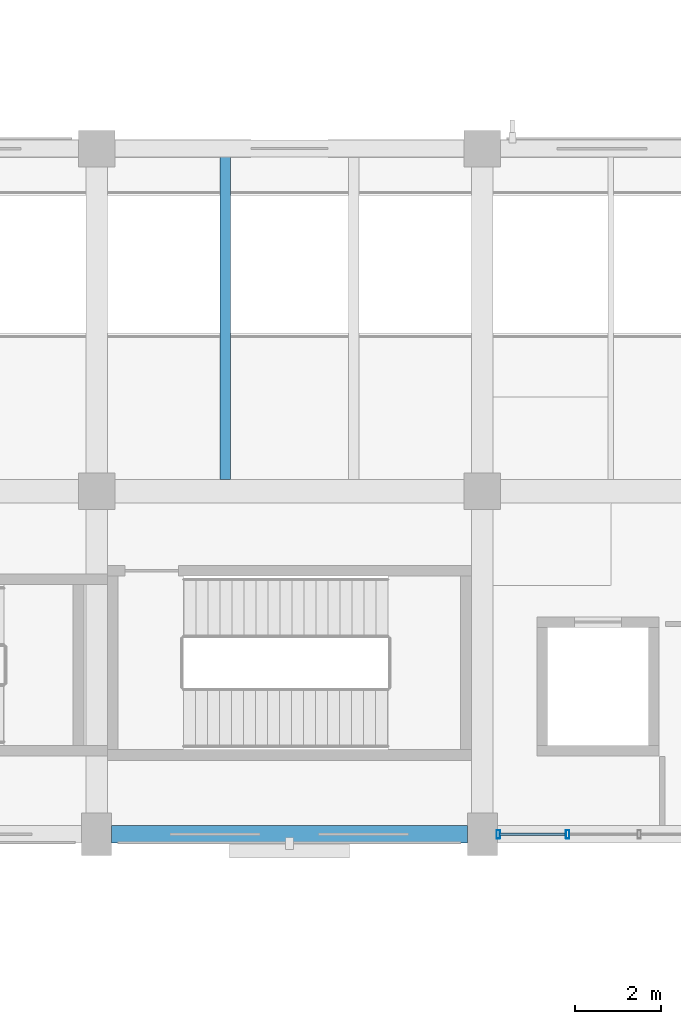
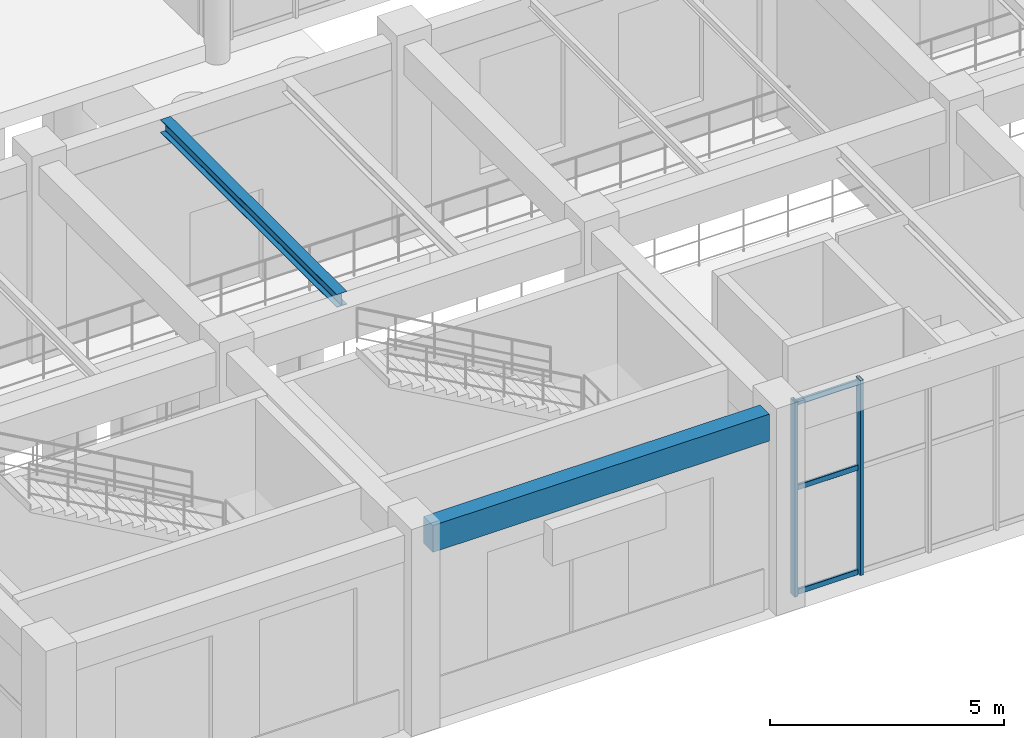
# One storey, part 17 of 121: 5 members, 2 beams, 1 element without a shape of its own.
"""IFC4 building model written with IfcOpenShell, lengths in metres."""

from ifc_helpers import new_model, si_unit, derived_unit, direction, frame, origin, origin_2d, place, context, subcontext, project, spatial, rectangle, hollow_rectangle, i_section, extrude, material, material_profile, profile_set, type_object, element, aggregate, save


model = new_model("IFC4")

# Units and contexts
model_context = context("Model", 3, precision=1e-05, world=origin(), true_north=direction((0.0, 1.0)))
body_context = subcontext(model_context, "Body", "Model", "MODEL_VIEW")
ifc_project = project(units=[si_unit("LENGTHUNIT", "METRE"), si_unit("AREAUNIT", "SQUARE_METRE"), si_unit("VOLUMEUNIT", "CUBIC_METRE"), si_unit("PLANEANGLEUNIT", "RADIAN"), si_unit("MASSUNIT", "GRAM", prefix="KILO"), derived_unit("THERMALTRANSMITTANCEUNIT", [(si_unit("MASSUNIT", "GRAM", prefix="KILO"), 1), (si_unit("TIMEUNIT", "SECOND"), -3), (si_unit("THERMODYNAMICTEMPERATUREUNIT", "KELVIN"), -1)])], contexts=[model_context])

# Site, building, storey
site_placement = place(None, origin())
site = spatial("IfcSite", under=ifc_project, at=site_placement, CompositionType="ELEMENT")
building_placement = place(site_placement, origin())
building = spatial("IfcBuilding", under=site, at=building_placement, Name="Zhenchuan Archway Interchange", CompositionType="ELEMENT")
storey_placement = place(building_placement, origin())
storey = spatial("IfcBuildingStorey", under=building, at=storey_placement, Name="L00", CompositionType="ELEMENT", Elevation=0.0)

# Curtain wall, members
ifc_material_1 = material(Name="Anodised Aluminium", Category="aluminium")
curtain_wall_type = type_object("IfcCurtainWallType", Name="CW_UNIT_2", PredefinedType="NOTDEFINED", material=ifc_material_1)
curtain_wall_placement = place(storey_placement, origin())
curtain_wall = element("IfcCurtainWall", 1, at=curtain_wall_placement, inside=storey, type_object=curtain_wall_type, Name="Unitised curtain wall CW:L00:009", PredefinedType="NOTDEFINED")
ifc_material_profile_1 = material_profile(ifc_material_1, hollow_rectangle(XDim=0.080078125, YDim=0.199951171875, WallThickness=0.00439453125, InnerFilletRadius=0.00439453125, OuterFilletRadius=0.009033203125, at=origin_2d()), Name="ALU 200x80x4.5")
ifc_profile_set_1 = profile_set([ifc_material_profile_1], Name="Anodised Aluminium")
member_type_1 = type_object("IfcMemberType", Name="CW_MUL_200", PredefinedType="MULLION", material=ifc_profile_set_1)
member_1_placement = place(storey_placement, frame((19.99072265625, 0.0, 0.0), z_axis=(0.0, 0.0, 1.0), x_axis=(1.0, 0.0, 0.0)))
member_1 = element("IfcMember", 2, at=member_1_placement, type_object=member_type_1, Name="CW:L00:009 mullion 4", PredefinedType="MULLION", context=body_context, shape_type="SweptSolid", body=[
    extrude(hollow_rectangle(XDim=0.080078125, YDim=0.199951171875, WallThickness=0.00439453125, InnerFilletRadius=0.00439453125, OuterFilletRadius=0.009033203125, at=origin_2d()), origin(), (0.0, 0.0, 1.0), 5.080078125),
])
member_2_placement = place(storey_placement, frame((18.3779296875, 0.0, 0.0), z_axis=(0.0, 0.0, 1.0), x_axis=(1.0, 0.0, 0.0)))
member_2 = element("IfcMember", 3, at=member_2_placement, type_object=member_type_1, Name="CW:L00:009 mullion 5", PredefinedType="MULLION", context=body_context, shape_type="SweptSolid", body=[
    extrude(hollow_rectangle(XDim=0.080078125, YDim=0.199951171875, WallThickness=0.00439453125, InnerFilletRadius=0.00439453125, OuterFilletRadius=0.009033203125, at=origin_2d()), origin(), (0.0, 0.0, 1.0), 5.080078125),
])
ifc_material_profile_2 = material_profile(ifc_material_1, hollow_rectangle(XDim=0.06005859375, YDim=0.139892578125, WallThickness=0.00341796875, InnerFilletRadius=0.00341796875, OuterFilletRadius=0.007080078125, at=origin_2d()), Name="ALU 140x60x3.5")
ifc_profile_set_2 = profile_set([ifc_material_profile_2], Name="Anodised Aluminium")
member_type_2 = type_object("IfcMemberType", Name="CW_TRN_140", PredefinedType="USERDEFINED", material=ifc_profile_set_2)
member_3_placement = place(storey_placement, frame((19.930908203125, 0.0, 0.06005859375), z_axis=(-1.0, 0.0, 0.0), x_axis=(0.0, -1.0, 0.0)))
member_3 = element("IfcMember", 4, at=member_3_placement, type_object=member_type_2, Name="CW:L00:009 transom 4-1", ObjectType="TRANSOM", PredefinedType="USERDEFINED", context=body_context, shape_type="SweptSolid", body=[
    extrude(hollow_rectangle(XDim=0.06005859375, YDim=0.139892578125, WallThickness=0.00341796875, InnerFilletRadius=0.00341796875, OuterFilletRadius=0.007080078125, at=origin_2d()), origin(), (0.0, 0.0, 1.0), 1.532958984375),
])
member_4_placement = place(storey_placement, frame((19.930908203125, 0.0, 2.782958984375), z_axis=(-1.0, 0.0, 0.0), x_axis=(0.0, -1.0, 0.0)))
member_4 = element("IfcMember", 5, at=member_4_placement, type_object=member_type_2, Name="CW:L00:009 transom 4-2", ObjectType="TRANSOM", PredefinedType="USERDEFINED", context=body_context, shape_type="SweptSolid", body=[
    extrude(hollow_rectangle(XDim=0.06005859375, YDim=0.139892578125, WallThickness=0.00341796875, InnerFilletRadius=0.00341796875, OuterFilletRadius=0.007080078125, at=origin_2d()), origin(), (0.0, 0.0, 1.0), 1.532958984375),
])
member_5_placement = place(storey_placement, frame((19.930908203125, 0.0, 5.0), z_axis=(-1.0, 0.0, 0.0), x_axis=(0.0, -1.0, 0.0)))
member_5 = element("IfcMember", 6, at=member_5_placement, type_object=member_type_2, Name="CW:L00:009 transom 4-3", ObjectType="TRANSOM", PredefinedType="USERDEFINED", context=body_context, shape_type="SweptSolid", body=[
    extrude(hollow_rectangle(XDim=0.06005859375, YDim=0.139892578125, WallThickness=0.00341796875, InnerFilletRadius=0.00341796875, OuterFilletRadius=0.007080078125, at=origin_2d()), origin(), (0.0, 0.0, 1.0), 1.532958984375),
])
aggregate(curtain_wall, [member_1, member_2, member_3, member_4, member_5])

# Beams
ifc_material_2 = material(Name="Steel Q355", Category="steel")
ifc_material_profile_3 = material_profile(ifc_material_2, i_section(OverallWidth=0.25, OverallDepth=0.340087890625, WebThickness=0.009033203125, FlangeThickness=0.013916015625, FilletRadius=0.01806640625, at=origin_2d()), Name="HM 340x250")
ifc_profile_set_3 = profile_set([ifc_material_profile_3], Name="Steel Q355")
beam_type_1 = type_object("IfcBeamType", Name="JST_STL_HM340", PredefinedType="JOIST", material=ifc_profile_set_3)
beam_1_placement = place(storey_placement, frame((12.0, 8.27490234375, 4.909912109375), z_axis=(0.0, 1.0, 0.0), x_axis=(-1.0, 0.0, 0.0)))
element("IfcBeam", 7, at=beam_1_placement, inside=storey, type_object=beam_type_1, Name="Secondary joist 2-3/B-C #1 (L00)", PredefinedType="JOIST", context=body_context, shape_type="SweptSolid", body=[
    extrude(i_section(OverallWidth=0.25, OverallDepth=0.340087890625, WebThickness=0.009033203125, FlangeThickness=0.013916015625, FilletRadius=0.01806640625, at=origin_2d()), origin(), (0.0, 0.0, 1.0), 7.525146484375),
])
ifc_material_3 = material(Name="Concrete C40", Category="concrete")
ifc_material_profile_4 = material_profile(ifc_material_3, rectangle(XDim=0.39990234375, YDim=0.699951171875, at=origin_2d()), Name="RC 400x700")
ifc_profile_set_4 = profile_set([ifc_material_profile_4], Name="Concrete C40")
beam_type_2 = type_object("IfcBeamType", Name="SP_RC_400x700", PredefinedType="SPANDREL", material=ifc_profile_set_4)
beam_2_placement = place(storey_placement, frame((9.35009765625, 0.0, 4.72998046875), z_axis=(1.0, 0.0, 0.0), x_axis=(0.0, 1.0, 0.0)))
element("IfcBeam", 8, at=beam_2_placement, inside=storey, type_object=beam_type_2, Name="Beam A:2-3 (L00)", PredefinedType="SPANDREL", context=body_context, shape_type="SweptSolid", body=[
    extrude(rectangle(XDim=0.39990234375, YDim=0.699951171875, at=origin_2d()), origin(), (0.0, 0.0, 1.0), 8.2998046875),
])

save(model, "model.ifc")
